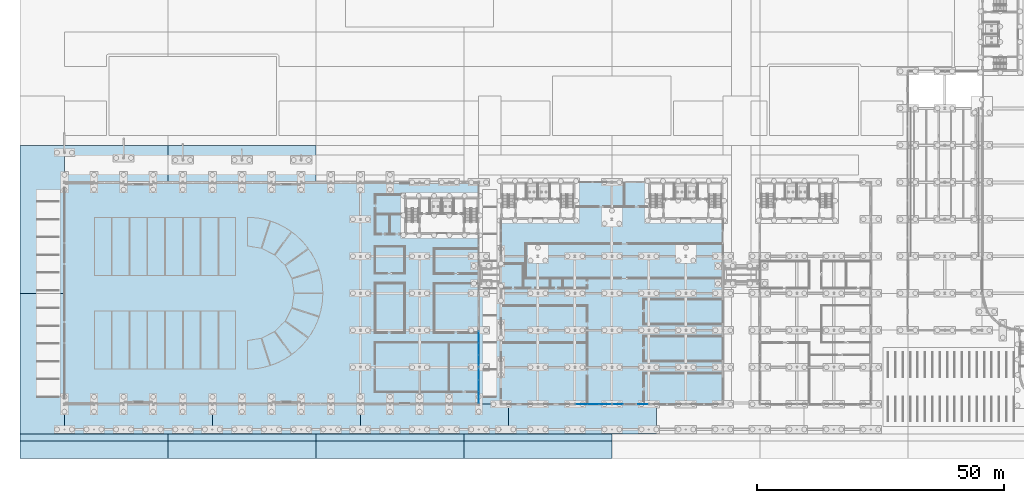
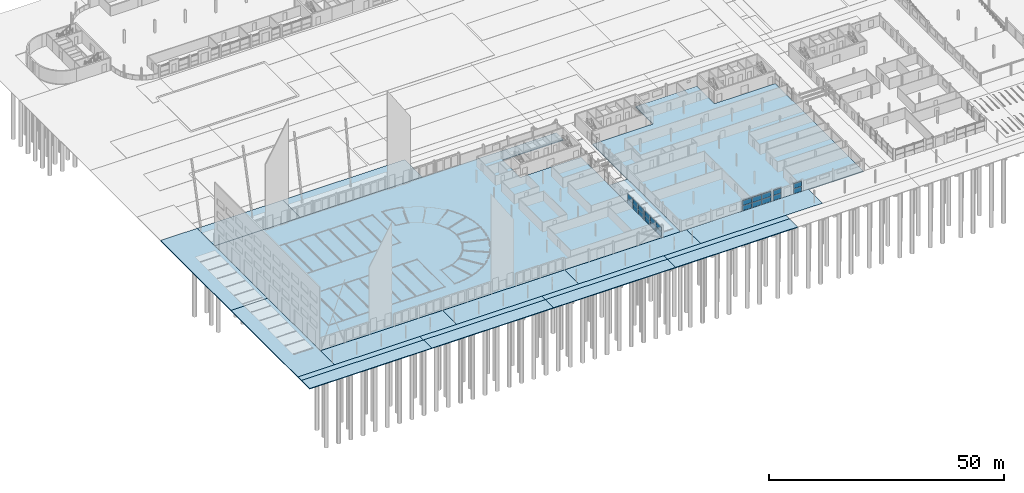
# One storey, part 66 of 130: 22 plates, 19 slabs, 5 elements without a shape of their own.
"""IFC4 building model written with IfcOpenShell, lengths in metres."""

from ifc_helpers import new_model, si_unit, direction, frame, origin, origin_2d, place, context, subcontext, project, spatial, polyline, rectangle, outline, extrude, material, layer, layer_set, type_object, element, aggregate, save


model = new_model("IFC4")

# Units and contexts
model_context = context("Model", 3, precision=1e-05, world=origin(), true_north=direction((0.0, 1.0)))
body_context = subcontext(model_context, "Body", "Model", "MODEL_VIEW")
ifc_project = project(units=[si_unit("LENGTHUNIT", "METRE"), si_unit("AREAUNIT", "SQUARE_METRE"), si_unit("VOLUMEUNIT", "CUBIC_METRE"), si_unit("PLANEANGLEUNIT", "RADIAN"), si_unit("MASSUNIT", "GRAM", prefix="KILO")], contexts=[model_context])

# Site, building, storey
site_placement = place(None, origin())
site = spatial("IfcSite", under=ifc_project, at=site_placement, CompositionType="ELEMENT")
building_placement = place(site_placement, origin())
building = spatial("IfcBuilding", under=site, at=building_placement, Name="Parallax Yard Mobility Hub", CompositionType="ELEMENT")
storey_placement = place(building_placement, origin())
storey = spatial("IfcBuildingStorey", under=building, at=storey_placement, Name="L00", CompositionType="ELEMENT", Elevation=0.0)

# Slabs
ifc_material_1 = material(Name="Concrete fc' 28 MPa", Category="concrete")
ifc_layer_1 = layer(ifc_material_1, 0.1201171875)
ifc_layer_set_1 = layer_set([ifc_layer_1], Name="Arcade floor paving 120")
slab_type_1 = type_object("IfcSlabType", Name="Arcade floor paving 120", PredefinedType="FLOOR", material=ifc_layer_set_1)
slab_1_placement = place(storey_placement, frame((0.0, 0.0, -0.1201171875)))
element("IfcSlab", 1, at=slab_1_placement, inside=storey, type_object=slab_type_1, Name="Arcade paving panel 1", PredefinedType="FLOOR", context=body_context, shape_type="SweptSolid", body=[
    extrude(outline(polyline([(39.0, 1.5), (39.0, 7.5), (9.0, 7.5), (9.0, 1.5), (39.0, 1.5)])), origin(), (0.0, 0.0, 1.0), 0.1201171875),
])
slab_2_placement = place(storey_placement, frame((0.0, 0.0, -0.1201171875)))
element("IfcSlab", 2, at=slab_2_placement, inside=storey, type_object=slab_type_1, Name="Arcade paving panel 2", PredefinedType="FLOOR", context=body_context, shape_type="SweptSolid", body=[
    extrude(outline(polyline([(69.0, 1.5), (69.0, 7.5), (39.0, 7.5), (39.0, 1.5), (69.0, 1.5)])), origin(), (0.0, 0.0, 1.0), 0.1201171875),
])
slab_3_placement = place(storey_placement, frame((0.0, 0.0, -0.1201171875)))
element("IfcSlab", 3, at=slab_3_placement, inside=storey, type_object=slab_type_1, Name="Arcade paving panel 3", PredefinedType="FLOOR", context=body_context, shape_type="SweptSolid", body=[
    extrude(outline(polyline([(99.0, 1.5), (99.0, 7.5), (69.0, 7.5), (69.0, 1.5), (99.0, 1.5)])), origin(), (0.0, 0.0, 1.0), 0.1201171875),
])
slab_4_placement = place(storey_placement, frame((0.0, 0.0, -0.1201171875)))
element("IfcSlab", 4, at=slab_4_placement, inside=storey, type_object=slab_type_1, Name="Arcade paving panel 4", PredefinedType="FLOOR", context=body_context, shape_type="SweptSolid", body=[
    extrude(outline(polyline([(129.0, 1.5), (129.0, 7.5), (99.0, 7.5), (99.0, 1.5), (129.0, 1.5)])), origin(), (0.0, 0.0, 1.0), 0.1201171875),
])
ifc_layer_2 = layer(ifc_material_1, 0.25)
ifc_layer_set_2 = layer_set([ifc_layer_2], Name="Bus apron paving 250")
slab_type_2 = type_object("IfcSlabType", Name="Bus apron paving 250", PredefinedType="FLOOR", material=ifc_layer_set_2)
slab_5_placement = place(storey_placement, frame((0.0, 0.0, -0.25)))
element("IfcSlab", 5, at=slab_5_placement, inside=storey, type_object=slab_type_2, Name="Bus apron paving panel 1", PredefinedType="FLOOR", context=body_context, shape_type="SweptSolid", body=[
    extrude(outline(polyline([(8.9990234375, 7.625), (8.9990234375, 7.625), (8.9990234375, 7.624755859375), (8.9990234375, 7.624755859375), (8.9990234375, 7.62451171875), (8.9990234375, 7.62451171875), (8.999267578125, 7.62451171875), (8.999267578125, 7.62451171875), (8.999267578125, 7.624267578125), (8.99951171875, 7.624267578125), (8.99951171875, 7.624267578125), (8.99951171875, 7.6240234375), (8.99951171875, 7.6240234375), (8.999755859375, 7.6240234375), (8.999755859375, 7.6240234375), (9.0, 7.6240234375), (9.0, 7.6240234375), (9.0, 7.5), (9.0, 1.5), (0.0, 1.5), (0.0, 30.0), (8.9990234375, 30.0), (8.9990234375, 7.625)])), origin(), (0.0, 0.0, 1.0), 0.25),
])
slab_6_placement = place(storey_placement, frame((0.0, 0.0, -0.25)))
element("IfcSlab", 6, at=slab_6_placement, inside=storey, type_object=slab_type_2, Name="Bus apron paving panel 2", PredefinedType="FLOOR", context=body_context, shape_type="SweptSolid", body=[
    extrude(outline(polyline([(9.0, 52.5), (9.0, 52.3759765625), (9.0, 52.3759765625), (8.999755859375, 52.3759765625), (8.999755859375, 52.3759765625), (8.99951171875, 52.3759765625), (8.99951171875, 52.3759765625), (8.99951171875, 52.375732421875), (8.99951171875, 52.375732421875), (8.999267578125, 52.375732421875), (8.999267578125, 52.37548828125), (8.999267578125, 52.37548828125), (8.9990234375, 52.37548828125), (8.9990234375, 52.37548828125), (8.9990234375, 52.375244140625), (8.9990234375, 52.375244140625), (8.9990234375, 52.375), (8.9990234375, 52.375), (8.9990234375, 30.0), (0.0, 30.0), (0.0, 60.0), (9.0, 60.0), (9.0, 52.5)])), origin(), (0.0, 0.0, 1.0), 0.25),
])

# Curtain wall, plates
ifc_material_2 = material(Name="Thermally broken aluminium curtain wall system", Category="aluminium")
curtain_wall_type = type_object("IfcCurtainWallType", Name="Curtain wall run 60 x 160 frame", PredefinedType="NOTDEFINED", material=ifc_material_2)
curtain_wall_1_placement = place(storey_placement, origin())
curtain_wall_1 = element("IfcCurtainWall", 7, at=curtain_wall_1_placement, inside=storey, type_object=curtain_wall_type, Name="Curtain wall run Bus and taxi deck east end bay 1 level L00", PredefinedType="NOTDEFINED")
ifc_material_3 = material(Name="Laminated low-E double glazing", Category="glass")
ifc_layer_3 = layer(ifc_material_3, 0.028076171875)
ifc_layer_set_3 = layer_set([ifc_layer_3], Name="Glazing panel 28")
plate_type = type_object("IfcPlateType", Name="Glazing panel 28", PredefinedType="CURTAIN_PANEL", material=ifc_layer_set_3)
plate_1_placement = place(storey_placement, frame((93.0, 8.894775390625, 0.06005859375), z_axis=(0.0, 0.0, 1.0), x_axis=(0.0, 1.0, 0.0)))
plate_1 = element("IfcPlate", 8, at=plate_1_placement, type_object=plate_type, Name="CW1 panel 1.1", PredefinedType="CURTAIN_PANEL", context=body_context, shape_type="SweptSolid", body=[
    extrude(rectangle(XDim=2.296630859375, YDim=0.028076171875, at=origin_2d()), origin(), (0.0, 0.0, 1.0), 1.223388671875),
])
plate_2_placement = place(storey_placement, frame((93.0, 8.894775390625, 1.34375), z_axis=(0.0, 0.0, 1.0), x_axis=(0.0, 1.0, 0.0)))
plate_2 = element("IfcPlate", 9, at=plate_2_placement, type_object=plate_type, Name="CW1 panel 1.2", PredefinedType="CURTAIN_PANEL", context=body_context, shape_type="SweptSolid", body=[
    extrude(rectangle(XDim=2.296630859375, YDim=0.028076171875, at=origin_2d()), origin(), (0.0, 0.0, 1.0), 1.223388671875),
])
plate_3_placement = place(storey_placement, frame((93.0, 11.2666015625, 0.06005859375), z_axis=(0.0, 0.0, 1.0), x_axis=(0.0, 1.0, 0.0)))
plate_3 = element("IfcPlate", 10, at=plate_3_placement, type_object=plate_type, Name="CW1 panel 2.1", PredefinedType="CURTAIN_PANEL", context=body_context, shape_type="SweptSolid", body=[
    extrude(rectangle(XDim=2.32666015625, YDim=0.028076171875, at=origin_2d()), origin(), (0.0, 0.0, 1.0), 1.223388671875),
])
plate_4_placement = place(storey_placement, frame((93.0, 11.2666015625, 1.34375), z_axis=(0.0, 0.0, 1.0), x_axis=(0.0, 1.0, 0.0)))
plate_4 = element("IfcPlate", 11, at=plate_4_placement, type_object=plate_type, Name="CW1 panel 2.2", PredefinedType="CURTAIN_PANEL", context=body_context, shape_type="SweptSolid", body=[
    extrude(rectangle(XDim=2.32666015625, YDim=0.028076171875, at=origin_2d()), origin(), (0.0, 0.0, 1.0), 1.223388671875),
])
plate_5_placement = place(storey_placement, frame((93.0, 13.63818359375, 0.06005859375), z_axis=(0.0, 0.0, 1.0), x_axis=(0.0, 1.0, 0.0)))
plate_5 = element("IfcPlate", 12, at=plate_5_placement, type_object=plate_type, Name="CW1 panel 3.1", PredefinedType="CURTAIN_PANEL", context=body_context, shape_type="SweptSolid", body=[
    extrude(rectangle(XDim=2.296630859375, YDim=0.028076171875, at=origin_2d()), origin(), (0.0, 0.0, 1.0), 1.223388671875),
])
plate_6_placement = place(storey_placement, frame((93.0, 13.63818359375, 1.34375), z_axis=(0.0, 0.0, 1.0), x_axis=(0.0, 1.0, 0.0)))
plate_6 = element("IfcPlate", 13, at=plate_6_placement, type_object=plate_type, Name="CW1 panel 3.2", PredefinedType="CURTAIN_PANEL", context=body_context, shape_type="SweptSolid", body=[
    extrude(rectangle(XDim=2.296630859375, YDim=0.028076171875, at=origin_2d()), origin(), (0.0, 0.0, 1.0), 1.223388671875),
])
aggregate(curtain_wall_1, [plate_1, plate_2, plate_3, plate_4, plate_5, plate_6])

curtain_wall_2_placement = place(storey_placement, origin())
curtain_wall_2 = element("IfcCurtainWall", 14, at=curtain_wall_2_placement, inside=storey, type_object=curtain_wall_type, Name="Curtain wall run Bus and taxi deck east end bay 2 level L00", PredefinedType="NOTDEFINED")
plate_7_placement = place(storey_placement, frame((93.0, 16.367431640625, 0.06005859375), z_axis=(0.0, 0.0, 1.0), x_axis=(0.0, 1.0, 0.0)))
plate_7 = element("IfcPlate", 15, at=plate_7_placement, type_object=plate_type, Name="CW1 panel 1.1", PredefinedType="CURTAIN_PANEL", context=body_context, shape_type="SweptSolid", body=[
    extrude(rectangle(XDim=2.3076171875, YDim=0.028076171875, at=origin_2d()), origin(), (0.0, 0.0, 1.0), 1.223388671875),
])
plate_8_placement = place(storey_placement, frame((93.0, 16.367431640625, 1.34375), z_axis=(0.0, 0.0, 1.0), x_axis=(0.0, 1.0, 0.0)))
plate_8 = element("IfcPlate", 16, at=plate_8_placement, type_object=plate_type, Name="CW1 panel 1.2", PredefinedType="CURTAIN_PANEL", context=body_context, shape_type="SweptSolid", body=[
    extrude(rectangle(XDim=2.3076171875, YDim=0.028076171875, at=origin_2d()), origin(), (0.0, 0.0, 1.0), 1.223388671875),
])
plate_9_placement = place(storey_placement, frame((93.0, 18.75, 0.06005859375), z_axis=(0.0, 0.0, 1.0), x_axis=(0.0, 1.0, 0.0)))
plate_9 = element("IfcPlate", 17, at=plate_9_placement, type_object=plate_type, Name="CW1 panel 2.1", PredefinedType="CURTAIN_PANEL", context=body_context, shape_type="SweptSolid", body=[
    extrude(rectangle(XDim=2.337646484375, YDim=0.028076171875, at=origin_2d()), origin(), (0.0, 0.0, 1.0), 1.223388671875),
])
plate_10_placement = place(storey_placement, frame((93.0, 18.75, 1.34375), z_axis=(0.0, 0.0, 1.0), x_axis=(0.0, 1.0, 0.0)))
plate_10 = element("IfcPlate", 18, at=plate_10_placement, type_object=plate_type, Name="CW1 panel 2.2", PredefinedType="CURTAIN_PANEL", context=body_context, shape_type="SweptSolid", body=[
    extrude(rectangle(XDim=2.337646484375, YDim=0.028076171875, at=origin_2d()), origin(), (0.0, 0.0, 1.0), 1.223388671875),
])
plate_11_placement = place(storey_placement, frame((93.0, 21.132568359375, 0.06005859375), z_axis=(0.0, 0.0, 1.0), x_axis=(0.0, 1.0, 0.0)))
plate_11 = element("IfcPlate", 19, at=plate_11_placement, type_object=plate_type, Name="CW1 panel 3.1", PredefinedType="CURTAIN_PANEL", context=body_context, shape_type="SweptSolid", body=[
    extrude(rectangle(XDim=2.3076171875, YDim=0.028076171875, at=origin_2d()), origin(), (0.0, 0.0, 1.0), 1.223388671875),
])
plate_12_placement = place(storey_placement, frame((93.0, 21.132568359375, 1.34375), z_axis=(0.0, 0.0, 1.0), x_axis=(0.0, 1.0, 0.0)))
plate_12 = element("IfcPlate", 20, at=plate_12_placement, type_object=plate_type, Name="CW1 panel 3.2", PredefinedType="CURTAIN_PANEL", context=body_context, shape_type="SweptSolid", body=[
    extrude(rectangle(XDim=2.3076171875, YDim=0.028076171875, at=origin_2d()), origin(), (0.0, 0.0, 1.0), 1.223388671875),
])
aggregate(curtain_wall_2, [plate_7, plate_8, plate_9, plate_10, plate_11, plate_12])

curtain_wall_3_placement = place(storey_placement, origin())
curtain_wall_3 = element("IfcCurtainWall", 21, at=curtain_wall_3_placement, inside=storey, type_object=curtain_wall_type, Name="Curtain wall run Mobility service centre and workshops south bay 3 level L00", PredefinedType="NOTDEFINED")
plate_13_placement = place(storey_placement, frame((113.867431640625, 7.5, 0.06005859375), z_axis=(0.0, 0.0, 1.0), x_axis=(1.0, 0.0, 0.0)))
plate_13 = element("IfcPlate", 22, at=plate_13_placement, type_object=plate_type, Name="CW1 panel 1.1", PredefinedType="CURTAIN_PANEL", context=body_context, shape_type="SweptSolid", body=[
    extrude(rectangle(XDim=2.3076171875, YDim=0.028076171875, at=origin_2d()), origin(), (0.0, 0.0, 1.0), 1.285400390625),
])
plate_14_placement = place(storey_placement, frame((113.867431640625, 7.5, 1.40576171875), z_axis=(0.0, 0.0, 1.0), x_axis=(1.0, 0.0, 0.0)))
plate_14 = element("IfcPlate", 23, at=plate_14_placement, type_object=plate_type, Name="CW1 panel 1.2", PredefinedType="CURTAIN_PANEL", context=body_context, shape_type="SweptSolid", body=[
    extrude(rectangle(XDim=2.3076171875, YDim=0.028076171875, at=origin_2d()), origin(), (0.0, 0.0, 1.0), 1.285400390625),
])
plate_15_placement = place(storey_placement, frame((116.25, 7.5, 0.06005859375), z_axis=(0.0, 0.0, 1.0), x_axis=(1.0, 0.0, 0.0)))
plate_15 = element("IfcPlate", 24, at=plate_15_placement, type_object=plate_type, Name="CW1 panel 2.1", PredefinedType="CURTAIN_PANEL", context=body_context, shape_type="SweptSolid", body=[
    extrude(rectangle(XDim=2.337646484375, YDim=0.028076171875, at=origin_2d()), origin(), (0.0, 0.0, 1.0), 1.285400390625),
])
plate_16_placement = place(storey_placement, frame((116.25, 7.5, 1.40576171875), z_axis=(0.0, 0.0, 1.0), x_axis=(1.0, 0.0, 0.0)))
plate_16 = element("IfcPlate", 25, at=plate_16_placement, type_object=plate_type, Name="CW1 panel 2.2", PredefinedType="CURTAIN_PANEL", context=body_context, shape_type="SweptSolid", body=[
    extrude(rectangle(XDim=2.337646484375, YDim=0.028076171875, at=origin_2d()), origin(), (0.0, 0.0, 1.0), 1.285400390625),
])
plate_17_placement = place(storey_placement, frame((118.632568359375, 7.5, 0.06005859375), z_axis=(0.0, 0.0, 1.0), x_axis=(1.0, 0.0, 0.0)))
plate_17 = element("IfcPlate", 26, at=plate_17_placement, type_object=plate_type, Name="CW1 panel 3.1", PredefinedType="CURTAIN_PANEL", context=body_context, shape_type="SweptSolid", body=[
    extrude(rectangle(XDim=2.3076171875, YDim=0.028076171875, at=origin_2d()), origin(), (0.0, 0.0, 1.0), 1.285400390625),
])
plate_18_placement = place(storey_placement, frame((118.632568359375, 7.5, 1.40576171875), z_axis=(0.0, 0.0, 1.0), x_axis=(1.0, 0.0, 0.0)))
plate_18 = element("IfcPlate", 27, at=plate_18_placement, type_object=plate_type, Name="CW1 panel 3.2", PredefinedType="CURTAIN_PANEL", context=body_context, shape_type="SweptSolid", body=[
    extrude(rectangle(XDim=2.3076171875, YDim=0.028076171875, at=origin_2d()), origin(), (0.0, 0.0, 1.0), 1.285400390625),
])
aggregate(curtain_wall_3, [plate_13, plate_14, plate_15, plate_16, plate_17, plate_18])

curtain_wall_4_placement = place(storey_placement, origin())
curtain_wall_4 = element("IfcCurtainWall", 28, at=curtain_wall_4_placement, inside=storey, type_object=curtain_wall_type, Name="Curtain wall run Mobility service centre and workshops south bay 4 level L00", PredefinedType="NOTDEFINED")
plate_19_placement = place(storey_placement, frame((121.20166015625, 7.5, 0.06005859375), z_axis=(0.0, 0.0, 1.0), x_axis=(1.0, 0.0, 0.0)))
plate_19 = element("IfcPlate", 29, at=plate_19_placement, type_object=plate_type, Name="CW1 panel 1.1", PredefinedType="CURTAIN_PANEL", context=body_context, shape_type="SweptSolid", body=[
    extrude(rectangle(XDim=1.9765625, YDim=0.028076171875, at=origin_2d()), origin(), (0.0, 0.0, 1.0), 1.285400390625),
])
plate_20_placement = place(storey_placement, frame((121.20166015625, 7.5, 1.40576171875), z_axis=(0.0, 0.0, 1.0), x_axis=(1.0, 0.0, 0.0)))
plate_20 = element("IfcPlate", 30, at=plate_20_placement, type_object=plate_type, Name="CW1 panel 1.2", PredefinedType="CURTAIN_PANEL", context=body_context, shape_type="SweptSolid", body=[
    extrude(rectangle(XDim=1.9765625, YDim=0.028076171875, at=origin_2d()), origin(), (0.0, 0.0, 1.0), 1.285400390625),
])
aggregate(curtain_wall_4, [plate_19, plate_20])

curtain_wall_5_placement = place(storey_placement, origin())
curtain_wall_5 = element("IfcCurtainWall", 31, at=curtain_wall_5_placement, inside=storey, type_object=curtain_wall_type, Name="Curtain wall run Mobility service centre and workshops south bay 4 level L00", PredefinedType="NOTDEFINED")
plate_21_placement = place(storey_placement, frame((126.29833984375, 7.5, 0.06005859375), z_axis=(0.0, 0.0, 1.0), x_axis=(1.0, 0.0, 0.0)))
plate_21 = element("IfcPlate", 32, at=plate_21_placement, type_object=plate_type, Name="CW1 panel 1.1", PredefinedType="CURTAIN_PANEL", context=body_context, shape_type="SweptSolid", body=[
    extrude(rectangle(XDim=1.9765625, YDim=0.028076171875, at=origin_2d()), origin(), (0.0, 0.0, 1.0), 1.285400390625),
])
plate_22_placement = place(storey_placement, frame((126.29833984375, 7.5, 1.40576171875), z_axis=(0.0, 0.0, 1.0), x_axis=(1.0, 0.0, 0.0)))
plate_22 = element("IfcPlate", 33, at=plate_22_placement, type_object=plate_type, Name="CW1 panel 1.2", PredefinedType="CURTAIN_PANEL", context=body_context, shape_type="SweptSolid", body=[
    extrude(rectangle(XDim=1.9765625, YDim=0.028076171875, at=origin_2d()), origin(), (0.0, 0.0, 1.0), 1.285400390625),
])
aggregate(curtain_wall_5, [plate_21, plate_22])

# Slabs
ifc_layer_4 = layer(ifc_material_1, 0.199951171875)
ifc_layer_set_4 = layer_set([ifc_layer_4], Name="Ground slab 200")
slab_type_3 = type_object("IfcSlabType", Name="Ground slab 200", PredefinedType="BASESLAB", material=ifc_layer_set_4)
slab_7_placement = place(storey_placement, frame((0.0, 0.0, -0.199951171875)))
element("IfcSlab", 34, at=slab_7_placement, inside=storey, type_object=slab_type_3, Name="Ground slab of the bus and taxi deck", PredefinedType="BASESLAB", context=body_context, shape_type="SweptSolid", body=[
    extrude(outline(polyline([(93.0, 7.5), (93.0, 42.0), (78.0, 42.0), (78.0, 49.5), (93.0, 49.5), (93.0, 52.5), (9.0, 52.5), (9.0, 7.5), (93.0, 7.5)])), origin(), (0.0, 0.0, 1.0), 0.199951171875),
])
ifc_layer_5 = layer(ifc_material_1, 0.25)
ifc_layer_set_5 = layer_set([ifc_layer_5], Name="Ground slab 250")
slab_type_4 = type_object("IfcSlabType", Name="Ground slab 250", PredefinedType="BASESLAB", material=ifc_layer_set_5)
slab_8_placement = place(storey_placement, frame((0.0, 0.0, -0.25)))
element("IfcSlab", 35, at=slab_8_placement, inside=storey, type_object=slab_type_4, Name="Ground slab of the mobility service centre and workshops", PredefinedType="BASESLAB", context=body_context, shape_type="SweptSolid", body=[
    extrude(outline(polyline([(142.5, 7.5), (142.5, 45.0), (127.5, 45.0), (127.5, 52.5), (112.5, 52.5), (112.5, 45.0), (97.5, 45.0), (97.5, 7.5), (142.5, 7.5)])), origin(), (0.0, 0.0, 1.0), 0.25),
])
ifc_layer_6 = layer(ifc_material_1, 0.14990234375)
ifc_layer_set_6 = layer_set([ifc_layer_6], Name="Public yard paving 150")
slab_type_5 = type_object("IfcSlabType", Name="Public yard paving 150", PredefinedType="FLOOR", material=ifc_layer_set_6)
slab_9_placement = place(storey_placement, frame((0.0, 0.0, -0.14990234375)))
element("IfcSlab", 36, at=slab_9_placement, inside=storey, type_object=slab_type_5, Name="Public yard paving panel 1", PredefinedType="FLOOR", context=body_context, shape_type="SweptSolid", body=[
    extrude(outline(polyline([(15.0, 52.5009765625), (15.0, 52.5009765625), (14.999755859375, 52.5009765625), (14.999755859375, 52.5009765625), (14.99951171875, 52.5009765625), (14.99951171875, 52.5009765625), (14.99951171875, 52.500732421875), (14.99951171875, 52.500732421875), (14.999267578125, 52.500732421875), (14.999267578125, 52.50048828125), (14.999267578125, 52.50048828125), (14.9990234375, 52.50048828125), (14.9990234375, 52.50048828125), (14.9990234375, 52.500244140625), (14.9990234375, 52.500244140625), (14.9990234375, 52.5), (14.9990234375, 52.5), (9.0, 52.5), (9.0, 60.0), (30.0, 60.0), (30.0, 52.5009765625), (15.0, 52.5009765625)])), origin(), (0.0, 0.0, 1.0), 0.14990234375),
])
slab_10_placement = place(storey_placement, frame((0.0, 0.0, -0.14990234375)))
element("IfcSlab", 37, at=slab_10_placement, inside=storey, type_object=slab_type_5, Name="Public yard paving panel 5", PredefinedType="FLOOR", context=body_context, shape_type="SweptSolid", body=[
    extrude(outline(polyline([(30.0, 52.5009765625), (30.0, 60.0), (60.0, 60.0), (60.0, 52.5009765625), (30.0, 52.5009765625)])), origin(), (0.0, 0.0, 1.0), 0.14990234375),
])
ifc_layer_7 = layer(ifc_material_1, 0.199951171875)
ifc_layer_set_7 = layer_set([ifc_layer_7], Name="Street apron paving 200")
slab_type_6 = type_object("IfcSlabType", Name="Street apron paving 200", PredefinedType="FLOOR", material=ifc_layer_set_7)
slab_11_placement = place(storey_placement, frame((0.0, 0.0, -0.199951171875)))
element("IfcSlab", 38, at=slab_11_placement, inside=storey, type_object=slab_type_6, Name="Street apron paving panel 1", PredefinedType="FLOOR", context=body_context, shape_type="SweptSolid", body=[
    extrude(outline(polyline([(0.0, -3.5), (0.0, 0.0), (30.0, 0.0), (30.0, -3.5), (0.0, -3.5)])), origin(), (0.0, 0.0, 1.0), 0.199951171875),
])
slab_12_placement = place(storey_placement, frame((0.0, 0.0, -0.199951171875)))
element("IfcSlab", 39, at=slab_12_placement, inside=storey, type_object=slab_type_6, Name="Street apron paving panel 2", PredefinedType="FLOOR", context=body_context, shape_type="SweptSolid", body=[
    extrude(outline(polyline([(9.0, 1.5), (30.0, 1.5), (30.0, 0.0), (0.0, 0.0), (0.0, 1.5), (9.0, 1.5)])), origin(), (0.0, 0.0, 1.0), 0.199951171875),
])
slab_13_placement = place(storey_placement, frame((0.0, 0.0, -0.199951171875)))
element("IfcSlab", 40, at=slab_13_placement, inside=storey, type_object=slab_type_6, Name="Street apron paving panel 3", PredefinedType="FLOOR", context=body_context, shape_type="SweptSolid", body=[
    extrude(outline(polyline([(30.0, -3.5), (30.0, 0.0), (60.0, 0.0), (60.0, -3.5), (30.0, -3.5)])), origin(), (0.0, 0.0, 1.0), 0.199951171875),
])
slab_14_placement = place(storey_placement, frame((0.0, 0.0, -0.199951171875)))
element("IfcSlab", 41, at=slab_14_placement, inside=storey, type_object=slab_type_6, Name="Street apron paving panel 4", PredefinedType="FLOOR", context=body_context, shape_type="SweptSolid", body=[
    extrude(outline(polyline([(60.0, 1.5), (60.0, 0.0), (30.0, 0.0), (30.0, 1.5), (60.0, 1.5)])), origin(), (0.0, 0.0, 1.0), 0.199951171875),
])
slab_15_placement = place(storey_placement, frame((0.0, 0.0, -0.199951171875)))
element("IfcSlab", 42, at=slab_15_placement, inside=storey, type_object=slab_type_6, Name="Street apron paving panel 5", PredefinedType="FLOOR", context=body_context, shape_type="SweptSolid", body=[
    extrude(outline(polyline([(60.0, -3.5), (60.0, 0.0), (90.0, 0.0), (90.0, -3.5), (60.0, -3.5)])), origin(), (0.0, 0.0, 1.0), 0.199951171875),
])
slab_16_placement = place(storey_placement, frame((0.0, 0.0, -0.199951171875)))
element("IfcSlab", 43, at=slab_16_placement, inside=storey, type_object=slab_type_6, Name="Street apron paving panel 6", PredefinedType="FLOOR", context=body_context, shape_type="SweptSolid", body=[
    extrude(outline(polyline([(90.0, 1.5), (90.0, 0.0), (60.0, 0.0), (60.0, 1.5), (90.0, 1.5)])), origin(), (0.0, 0.0, 1.0), 0.199951171875),
])
slab_17_placement = place(storey_placement, frame((0.0, 0.0, -0.199951171875)))
element("IfcSlab", 44, at=slab_17_placement, inside=storey, type_object=slab_type_6, Name="Street apron paving panel 7", PredefinedType="FLOOR", context=body_context, shape_type="SweptSolid", body=[
    extrude(outline(polyline([(90.0, -3.5), (90.0, 0.0), (120.0, 0.0), (120.0, -3.5), (90.0, -3.5)])), origin(), (0.0, 0.0, 1.0), 0.199951171875),
])
slab_18_placement = place(storey_placement, frame((0.0, 0.0, -0.199951171875)))
element("IfcSlab", 45, at=slab_18_placement, inside=storey, type_object=slab_type_6, Name="Street apron paving panel 8", PredefinedType="FLOOR", context=body_context, shape_type="SweptSolid", body=[
    extrude(outline(polyline([(120.0, 1.5), (120.0, 0.0), (90.0, 0.0), (90.0, 1.5), (120.0, 1.5)])), origin(), (0.0, 0.0, 1.0), 0.199951171875),
])
ifc_layer_8 = layer(ifc_material_1, 0.199951171875)
ifc_layer_set_8 = layer_set([ifc_layer_8], Name="Taxi apron paving, Concrete fc' 28 MPa reinforced, 200")
slab_type_7 = type_object("IfcSlabType", Name="Taxi apron paving, Concrete fc' 28 MPa reinforced, 200", PredefinedType="FLOOR", material=ifc_layer_set_8)
slab_19_placement = place(storey_placement, frame((0.0, 0.0, -0.199951171875)))
element("IfcSlab", 46, at=slab_19_placement, inside=storey, type_object=slab_type_7, Name="Taxi apron paving panel 1", PredefinedType="FLOOR", context=body_context, shape_type="SweptSolid", body=[
    extrude(outline(polyline([(97.4990234375, 27.60009765625), (97.4990234375, 27.599853515625), (97.4990234375, 27.599853515625), (97.4990234375, 27.599609375), (97.4990234375, 27.599609375), (97.4990234375, 27.599609375), (97.499267578125, 27.599365234375), (97.499267578125, 27.599365234375), (97.499267578125, 27.599365234375), (97.49951171875, 27.59912109375), (97.49951171875, 27.59912109375), (97.49951171875, 27.59912109375), (97.49951171875, 27.59912109375), (97.499755859375, 27.59912109375), (97.499755859375, 27.59912109375), (97.5, 27.59912109375), (97.5, 27.59912109375), (97.5, 27.40087890625), (97.5, 27.40087890625), (97.499755859375, 27.40087890625), (97.499755859375, 27.40087890625), (97.49951171875, 27.40087890625), (97.49951171875, 27.40087890625), (97.49951171875, 27.40087890625), (97.49951171875, 27.40087890625), (97.499267578125, 27.400634765625), (97.499267578125, 27.400634765625), (97.499267578125, 27.400634765625), (97.4990234375, 27.400390625), (97.4990234375, 27.400390625), (97.4990234375, 27.400390625), (97.4990234375, 27.400146484375), (97.4990234375, 27.400146484375), (97.4990234375, 27.39990234375), (97.4990234375, 20.10009765625), (97.4990234375, 20.099853515625), (97.4990234375, 20.099853515625), (97.4990234375, 20.099609375), (97.4990234375, 20.099609375), (97.4990234375, 20.099609375), (97.499267578125, 20.099365234375), (97.499267578125, 20.099365234375), (97.499267578125, 20.099365234375), (97.49951171875, 20.09912109375), (97.49951171875, 20.09912109375), (97.49951171875, 20.09912109375), (97.49951171875, 20.09912109375), (97.499755859375, 20.09912109375), (97.499755859375, 20.09912109375), (97.5, 20.09912109375), (97.5, 20.09912109375), (97.5, 19.90087890625), (97.5, 19.90087890625), (97.499755859375, 19.90087890625), (97.499755859375, 19.90087890625), (97.49951171875, 19.90087890625), (97.49951171875, 19.90087890625), (97.49951171875, 19.90087890625), (97.49951171875, 19.90087890625), (97.499267578125, 19.900634765625), (97.499267578125, 19.900634765625), (97.499267578125, 19.900634765625), (97.4990234375, 19.900390625), (97.4990234375, 19.900390625), (97.4990234375, 19.900390625), (97.4990234375, 19.900146484375), (97.4990234375, 19.900146484375), (97.4990234375, 19.89990234375), (97.4990234375, 7.5), (93.0, 7.5), (93.0, 7.6240234375), (93.0, 7.6240234375), (93.000244140625, 7.6240234375), (93.000244140625, 7.6240234375), (93.00048828125, 7.6240234375), (93.00048828125, 7.6240234375), (93.00048828125, 7.624267578125), (93.00048828125, 7.624267578125), (93.000732421875, 7.624267578125), (93.000732421875, 7.62451171875), (93.000732421875, 7.62451171875), (93.0009765625, 7.62451171875), (93.0009765625, 7.62451171875), (93.0009765625, 7.624755859375), (93.0009765625, 7.624755859375), (93.0009765625, 7.625), (93.0009765625, 7.625), (93.0009765625, 9.925048828125), (93.0009765625, 9.925048828125), (93.0009765625, 9.92529296875), (93.0009765625, 9.92529296875), (93.0009765625, 9.92529296875), (93.0009765625, 9.925537109375), (93.000732421875, 9.925537109375), (93.000732421875, 9.925537109375), (93.000732421875, 9.92578125), (93.00048828125, 9.92578125), (93.00048828125, 9.92578125), (93.00048828125, 9.92578125), (93.00048828125, 9.92578125), (93.000244140625, 9.926025390625), (93.000244140625, 9.926025390625), (93.0, 9.926025390625), (93.0, 9.926025390625), (93.0, 10.073974609375), (93.0, 10.073974609375), (93.000244140625, 10.073974609375), (93.000244140625, 10.073974609375), (93.00048828125, 10.07421875), (93.00048828125, 10.07421875), (93.00048828125, 10.07421875), (93.00048828125, 10.07421875), (93.000732421875, 10.07421875), (93.000732421875, 10.074462890625), (93.000732421875, 10.074462890625), (93.0009765625, 10.074462890625), (93.0009765625, 10.07470703125), (93.0009765625, 10.07470703125), (93.0009765625, 10.07470703125), (93.0009765625, 10.074951171875), (93.0009765625, 10.074951171875), (93.0009765625, 19.925048828125), (93.0009765625, 19.925048828125), (93.0009765625, 19.92529296875), (93.0009765625, 19.92529296875), (93.0009765625, 19.92529296875), (93.0009765625, 19.925537109375), (93.000732421875, 19.925537109375), (93.000732421875, 19.925537109375), (93.000732421875, 19.92578125), (93.00048828125, 19.92578125), (93.00048828125, 19.92578125), (93.00048828125, 19.92578125), (93.00048828125, 19.92578125), (93.000244140625, 19.926025390625), (93.000244140625, 19.926025390625), (93.0, 19.926025390625), (93.0, 19.926025390625), (93.0, 20.073974609375), (93.0, 20.073974609375), (93.000244140625, 20.073974609375), (93.000244140625, 20.073974609375), (93.00048828125, 20.07421875), (93.00048828125, 20.07421875), (93.00048828125, 20.07421875), (93.00048828125, 20.07421875), (93.000732421875, 20.07421875), (93.000732421875, 20.074462890625), (93.000732421875, 20.074462890625), (93.0009765625, 20.074462890625), (93.0009765625, 20.07470703125), (93.0009765625, 20.07470703125), (93.0009765625, 20.07470703125), (93.0009765625, 20.074951171875), (93.0009765625, 20.074951171875), (93.0009765625, 21.925048828125), (93.0009765625, 21.925048828125), (93.0009765625, 21.92529296875), (93.0009765625, 21.92529296875), (93.0009765625, 21.92529296875), (93.0009765625, 21.925537109375), (93.000732421875, 21.925537109375), (93.000732421875, 21.925537109375), (93.000732421875, 21.92578125), (93.00048828125, 21.92578125), (93.00048828125, 21.92578125), (93.00048828125, 21.92578125), (93.00048828125, 21.92578125), (93.000244140625, 21.926025390625), (93.000244140625, 21.926025390625), (93.0, 21.926025390625), (93.0, 21.926025390625), (93.0, 22.073974609375), (93.0, 22.073974609375), (93.000244140625, 22.073974609375), (93.000244140625, 22.073974609375), (93.00048828125, 22.07421875), (93.00048828125, 22.07421875), (93.00048828125, 22.07421875), (93.00048828125, 22.07421875), (93.000732421875, 22.07421875), (93.000732421875, 22.074462890625), (93.000732421875, 22.074462890625), (93.0009765625, 22.074462890625), (93.0009765625, 22.07470703125), (93.0009765625, 22.07470703125), (93.0009765625, 22.07470703125), (93.0009765625, 22.074951171875), (93.0009765625, 22.074951171875), (93.0009765625, 30.0), (97.4990234375, 30.0), (97.4990234375, 27.60009765625)])), origin(), (0.0, 0.0, 1.0), 0.199951171875),
])

save(model, "model.ifc")
